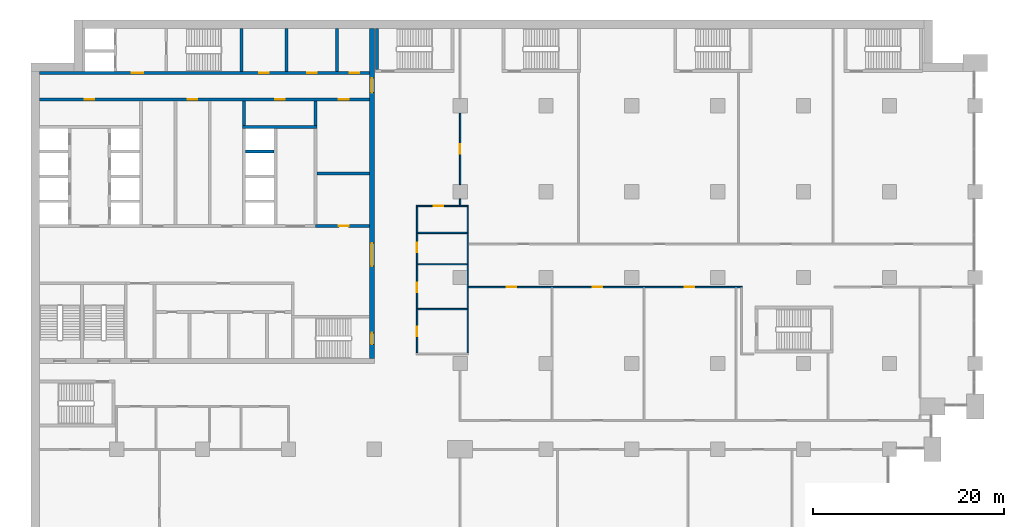
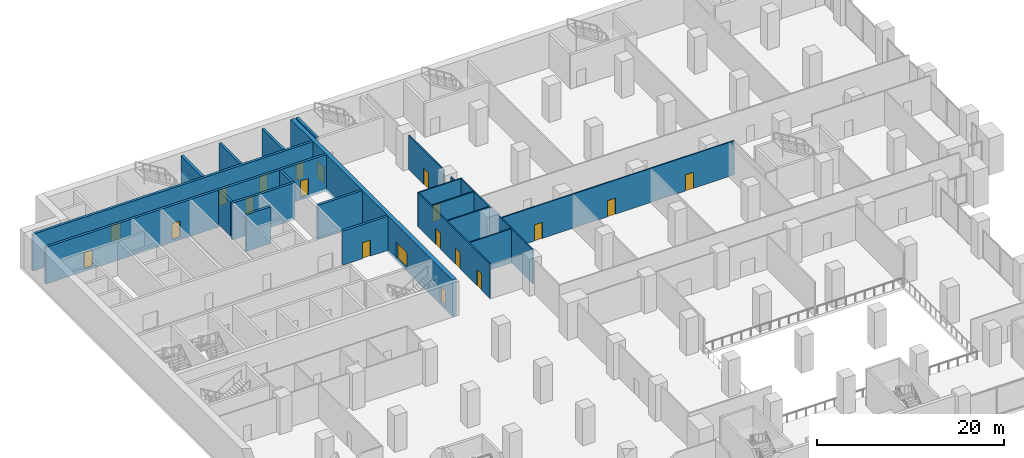
# One storey, part 27 of 49: 22 walls, 20 doors, 20 openings.
"""IFC4 building model written with IfcOpenShell, lengths in metres."""

from ifc_helpers import new_model, si_unit, direction, frame, frame_2d, origin, place, context, subcontext, project, spatial, rectangle, extrude, material, layer, layer_set, type_object, element, fill, save


model = new_model("IFC4")

# Units and contexts
model_context = context("Model", 3, precision=1e-05, world=origin(), true_north=direction((0.0, 1.0)))
body_context = subcontext(model_context, "Body", "Model", "MODEL_VIEW")
ifc_project = project(units=[si_unit("LENGTHUNIT", "METRE"), si_unit("AREAUNIT", "SQUARE_METRE"), si_unit("VOLUMEUNIT", "CUBIC_METRE"), si_unit("PLANEANGLEUNIT", "RADIAN"), si_unit("MASSUNIT", "GRAM", prefix="KILO")], contexts=[model_context])

# Site, building, storey
site_placement = place(None, origin())
site = spatial("IfcSite", under=ifc_project, at=site_placement, CompositionType="ELEMENT")
building_placement = place(site_placement, origin())
building = spatial("IfcBuilding", under=site, at=building_placement, Name="Hunhe Ridgeline Campus", CompositionType="ELEMENT")
storey_placement = place(building_placement, frame((0.0, 0.0, 21.60009765625)))
storey = spatial("IfcBuildingStorey", under=building, at=storey_placement, Name="L04", CompositionType="ELEMENT", Elevation=21.60009765625)

# Walls
ifc_material_1 = material(Name="Plastered blockwork", Category="masonry")
ifc_layer_1 = layer(ifc_material_1, 0.14990234375)
ifc_layer_set_1 = layer_set([ifc_layer_1], Name="Blockwork partition 150")
wall_type_1 = type_object("IfcWallType", Name="Blockwork partition 150", PredefinedType="PARTITIONING", material=ifc_layer_set_1)
wall_1_placement = place(storey_placement, frame((40.574951171875, 68.697021484375, 0.0), z_axis=(0.0, 0.0, 1.0), x_axis=(1.0, 0.0, 0.0)))
element("IfcWall", 1, at=wall_1_placement, inside=storey, type_object=wall_type_1, Name="L04 partition", PredefinedType="PARTITIONING", context=body_context, shape_type="SweptSolid", body=[
    extrude(rectangle(XDim=5.150146484375, YDim=0.14990234375, at=frame_2d((2.5751953125, 0.0))), origin(), (0.0, 0.0, 1.0), 4.449951171875),
])
wall_2_placement = place(storey_placement, frame((45.800048828125, 79.425048828125, 0.0), z_axis=(0.0, 0.0, 1.0), x_axis=(0.0, -1.0, 0.0)))
element("IfcWall", 2, at=wall_2_placement, inside=storey, type_object=wall_type_1, Name="L04 partition", PredefinedType="PARTITIONING", context=body_context, shape_type="SweptSolid", body=[
    extrude(rectangle(XDim=15.35009765625, YDim=0.14990234375, at=frame_2d((7.675048828125, 0.0))), origin(), (0.0, 0.0, 1.0), 4.449951171875),
])

# Wall, openings, doors
wall_3_placement = place(storey_placement, frame((40.5, 64.074951171875, 0.0), z_axis=(0.0, 0.0, 1.0), x_axis=(0.0, 1.0, 0.0)))
wall_3 = element("IfcWall", 3, at=wall_3_placement, inside=storey, type_object=wall_type_1, Name="L04 partition", PredefinedType="PARTITIONING", context=body_context, shape_type="SweptSolid", body=[
    extrude(rectangle(XDim=15.35009765625, YDim=0.14990234375, at=frame_2d((7.675048828125, 0.0))), origin(), (0.0, 0.0, 1.0), 4.449951171875),
])
opening_1_placement = place(wall_3_placement, frame((1.75, 0.0, 0.0)))
opening_1 = element("IfcOpeningElement", 4, at=opening_1_placement, cuts=wall_3, Name="Opening PD504", PredefinedType="OPENING", context=body_context, shape_type="SweptSolid", body=[
    extrude(rectangle(XDim=1.0, YDim=2.10009765625, at=frame_2d((0.5, 1.050048828125))), frame((0.0, 0.074951171875, 0.0), z_axis=(0.0, -1.0, 0.0), x_axis=(1.0, 0.0, 0.0)), (0.0, 0.0, 1.0), 0.14990234375),
])
opening_2_placement = place(wall_3_placement, frame((6.3720703125, 0.0, 0.0)))
opening_2 = element("IfcOpeningElement", 5, at=opening_2_placement, cuts=wall_3, Name="Opening PD505", PredefinedType="OPENING", context=body_context, shape_type="SweptSolid", body=[
    extrude(rectangle(XDim=1.0, YDim=2.10009765625, at=frame_2d((0.5, 1.050048828125))), frame((0.0, 0.074951171875, 0.0), z_axis=(0.0, -1.0, 0.0), x_axis=(1.0, 0.0, 0.0)), (0.0, 0.0, 1.0), 0.14990234375),
])
opening_3_placement = place(wall_3_placement, frame((10.569091796875, 0.0, 0.0)))
opening_3 = element("IfcOpeningElement", 6, at=opening_3_placement, cuts=wall_3, Name="Opening PD506", PredefinedType="OPENING", context=body_context, shape_type="SweptSolid", body=[
    extrude(rectangle(XDim=1.0, YDim=2.10009765625, at=frame_2d((0.5, 1.050048828125))), frame((0.0, 0.074951171875, 0.0), z_axis=(0.0, -1.0, 0.0), x_axis=(1.0, 0.0, 0.0)), (0.0, 0.0, 1.0), 0.14990234375),
])
ifc_material_2 = material(Name="Timber", Category="wood")
door_type_1 = type_object("IfcDoorType", Name="Podium accessible WC door 1000x2100", OperationType="NOTDEFINED", PredefinedType="DOOR", material=ifc_material_2)
door_1_placement = place(opening_3_placement, origin())
door_1 = element("IfcDoor", 7, at=door_1_placement, inside=storey, type_object=door_type_1, Name="Accessible WC door", OperationType="SINGLE_SWING_RIGHT", OverallHeight=2.10009765625, OverallWidth=1.0, PredefinedType="DOOR", context=body_context, shape_type="SweptSolid", body=[
    extrude(rectangle(XDim=1.0, YDim=2.10009765625, at=frame_2d((0.5, 1.050048828125))), frame((0.0, 0.02490234375, 0.0), z_axis=(0.0, -1.0, 0.0), x_axis=(1.0, 0.0, 0.0)), (0.0, 0.0, 1.0), 0.050048828125),
])
fill(opening_3, door_1)
door_type_2 = type_object("IfcDoorType", Name="Podium timber door 1000x2100", OperationType="NOTDEFINED", PredefinedType="DOOR", material=ifc_material_2)
door_2_placement = place(opening_1_placement, origin())
door_2 = element("IfcDoor", 8, at=door_2_placement, inside=storey, type_object=door_type_2, Name="Men WC door", OperationType="SINGLE_SWING_LEFT", OverallHeight=2.10009765625, OverallWidth=1.0, PredefinedType="DOOR", context=body_context, shape_type="SweptSolid", body=[
    extrude(rectangle(XDim=1.0, YDim=2.10009765625, at=frame_2d((0.5, 1.050048828125))), frame((0.0, 0.02490234375, 0.0), z_axis=(0.0, -1.0, 0.0), x_axis=(1.0, 0.0, 0.0)), (0.0, 0.0, 1.0), 0.050048828125),
])
fill(opening_1, door_2)
door_3_placement = place(opening_2_placement, origin())
door_3 = element("IfcDoor", 9, at=door_3_placement, inside=storey, type_object=door_type_2, Name="Women WC door", OperationType="SINGLE_SWING_LEFT", OverallHeight=2.10009765625, OverallWidth=1.0, PredefinedType="DOOR", context=body_context, shape_type="SweptSolid", body=[
    extrude(rectangle(XDim=1.0, YDim=2.10009765625, at=frame_2d((0.5, 1.050048828125))), frame((0.0, 0.02490234375, 0.0), z_axis=(0.0, -1.0, 0.0), x_axis=(1.0, 0.0, 0.0)), (0.0, 0.0, 1.0), 0.050048828125),
])
fill(opening_2, door_3)

# Walls
for number, where, z_axis, x_axis, name in (
    (10, (40.574951171875, 73.39404296875, 0.0), (0.0, 0.0, 1.0), (1.0, 0.0, 0.0), "L04 partition"),
    (11, (40.574951171875, 76.681884765625, 0.0), (0.0, 0.0, 1.0), (1.0, 0.0, 0.0), "L04 partition"),
):
    element("IfcWall", number, at=place(storey_placement, frame(where, z_axis=z_axis, x_axis=x_axis)), inside=storey, type_object=wall_type_1, Name=name, PredefinedType="PARTITIONING", context=body_context, shape_type="SweptSolid", body=[
        extrude(rectangle(XDim=5.150146484375, YDim=0.14990234375, at=frame_2d((2.5751953125, 0.0))), origin(), (0.0, 0.0, 1.0), 4.449951171875),
    ])

# Wall, opening, door
wall_4_placement = place(storey_placement, frame((40.425048828125, 79.5, 0.0), z_axis=(0.0, 0.0, 1.0), x_axis=(1.0, 0.0, 0.0)))
wall_4 = element("IfcWall", 12, at=wall_4_placement, inside=storey, type_object=wall_type_1, Name="L04 partition", PredefinedType="PARTITIONING", context=body_context, shape_type="SweptSolid", body=[
    extrude(rectangle(XDim=5.449951171875, YDim=0.14990234375, at=frame_2d((2.72509765625, 0.0))), origin(), (0.0, 0.0, 1.0), 4.449951171875),
])
opening_4_placement = place(wall_4_placement, frame((1.824951171875, 0.0, 0.0)))
opening_4 = element("IfcOpeningElement", 13, at=opening_4_placement, cuts=wall_4, Name="Opening PD507", PredefinedType="OPENING", context=body_context, shape_type="SweptSolid", body=[
    extrude(rectangle(XDim=1.0, YDim=2.10009765625, at=frame_2d((0.5, 1.050048828125))), frame((0.0, 0.074951171875, 0.0), z_axis=(0.0, -1.0, 0.0), x_axis=(1.0, 0.0, 0.0)), (0.0, 0.0, 1.0), 0.14990234375),
])
door_4_placement = place(opening_4_placement, origin())
door_4 = element("IfcDoor", 14, at=door_4_placement, inside=storey, type_object=door_type_2, Name="Cleaners Store door", OperationType="SINGLE_SWING_LEFT", OverallHeight=2.10009765625, OverallWidth=1.0, PredefinedType="DOOR", context=body_context, shape_type="SweptSolid", body=[
    extrude(rectangle(XDim=1.0, YDim=2.10009765625, at=frame_2d((0.5, 1.050048828125))), frame((0.0, 0.02490234375, 0.0), z_axis=(0.0, -1.0, 0.0), x_axis=(1.0, 0.0, 0.0)), (0.0, 0.0, 1.0), 0.050048828125),
])
fill(opening_4, door_4)

# Wall
wall_5_placement = place(storey_placement, frame((45.0, 79.574951171875, 0.0), z_axis=(0.0, 0.0, 1.0), x_axis=(0.0, 1.0, 0.0)))
element("IfcWall", 15, at=wall_5_placement, inside=storey, type_object=wall_type_1, Name="L04 partition", PredefinedType="PARTITIONING", context=body_context, shape_type="SweptSolid", body=[
    extrude(rectangle(XDim=0.675048828125, YDim=0.14990234375, at=frame_2d((0.33740234375, 0.0))), origin(), (0.0, 0.0, 1.0), 4.449951171875),
])

# Wall, opening, door
wall_6_placement = place(storey_placement, frame((45.0, 81.75, 0.0), z_axis=(0.0, 0.0, 1.0), x_axis=(0.0, 1.0, 0.0)))
wall_6 = element("IfcWall", 16, at=wall_6_placement, inside=storey, type_object=wall_type_1, Name="L04 partition", PredefinedType="PARTITIONING", context=body_context, shape_type="SweptSolid", body=[
    extrude(rectangle(XDim=7.5, YDim=0.14990234375, at=frame_2d((3.75, 0.0))), origin(), (0.0, 0.0, 1.0), 4.449951171875),
])
opening_5_placement = place(wall_6_placement, frame((3.25, 0.0, 0.0)))
opening_5 = element("IfcOpeningElement", 17, at=opening_5_placement, cuts=wall_6, Name="Opening PD537", PredefinedType="OPENING", context=body_context, shape_type="SweptSolid", body=[
    extrude(rectangle(XDim=1.0, YDim=2.10009765625, at=frame_2d((0.5, 1.050048828125))), frame((0.0, 0.074951171875, 0.0), z_axis=(0.0, -1.0, 0.0), x_axis=(1.0, 0.0, 0.0)), (0.0, 0.0, 1.0), 0.14990234375),
])
door_5_placement = place(opening_5_placement, origin())
door_5 = element("IfcDoor", 18, at=door_5_placement, inside=storey, type_object=door_type_2, Name="Closed Stacks door", OperationType="SINGLE_SWING_RIGHT", OverallHeight=2.10009765625, OverallWidth=1.0, PredefinedType="DOOR", context=body_context, shape_type="SweptSolid", body=[
    extrude(rectangle(XDim=1.0, YDim=2.10009765625, at=frame_2d((0.5, 1.050048828125))), frame((0.0, 0.02490234375, 0.0), z_axis=(0.0, -1.0, 0.0), x_axis=(1.0, 0.0, 0.0)), (0.0, 0.0, 1.0), 0.050048828125),
])
fill(opening_5, door_5)

# Wall, openings, doors
wall_7_placement = place(storey_placement, frame((45.875, 71.0, 0.0), z_axis=(0.0, 0.0, 1.0), x_axis=(1.0, 0.0, 0.0)))
wall_7 = element("IfcWall", 19, at=wall_7_placement, inside=storey, type_object=wall_type_1, Name="L04 partition", PredefinedType="PARTITIONING", context=body_context, shape_type="SweptSolid", body=[
    extrude(rectangle(XDim=28.699951171875, YDim=0.14990234375, at=frame_2d((14.35009765625, 0.0))), origin(), (0.0, 0.0, 1.0), 4.449951171875),
])
opening_6_placement = place(wall_7_placement, frame((4.0, 0.0, 0.0)))
opening_6 = element("IfcOpeningElement", 20, at=opening_6_placement, cuts=wall_7, Name="Opening PD523", PredefinedType="OPENING", context=body_context, shape_type="SweptSolid", body=[
    extrude(rectangle(XDim=1.0, YDim=2.10009765625, at=frame_2d((0.5, 1.050048828125))), frame((0.0, 0.074951171875, 0.0), z_axis=(0.0, -1.0, 0.0), x_axis=(1.0, 0.0, 0.0)), (0.0, 0.0, 1.0), 0.14990234375),
])
opening_7_placement = place(wall_7_placement, frame((13.01806640625, 0.0, 0.0)))
opening_7 = element("IfcOpeningElement", 21, at=opening_7_placement, cuts=wall_7, Name="Opening PD525", PredefinedType="OPENING", context=body_context, shape_type="SweptSolid", body=[
    extrude(rectangle(XDim=1.0, YDim=2.10009765625, at=frame_2d((0.5, 1.050048828125))), frame((0.0, 0.074951171875, 0.0), z_axis=(0.0, -1.0, 0.0), x_axis=(1.0, 0.0, 0.0)), (0.0, 0.0, 1.0), 0.14990234375),
])
opening_8_placement = place(wall_7_placement, frame((22.660888671875, 0.0, 0.0)))
opening_8 = element("IfcOpeningElement", 22, at=opening_8_placement, cuts=wall_7, Name="Opening PD527", PredefinedType="OPENING", context=body_context, shape_type="SweptSolid", body=[
    extrude(rectangle(XDim=1.0, YDim=2.10009765625, at=frame_2d((0.5, 1.050048828125))), frame((0.0, 0.074951171875, 0.0), z_axis=(0.0, -1.0, 0.0), x_axis=(1.0, 0.0, 0.0)), (0.0, 0.0, 1.0), 0.14990234375),
])
door_6_placement = place(opening_6_placement, origin())
door_6 = element("IfcDoor", 23, at=door_6_placement, inside=storey, type_object=door_type_2, Name="Closed Stacks door", OperationType="SINGLE_SWING_LEFT", OverallHeight=2.10009765625, OverallWidth=1.0, PredefinedType="DOOR", context=body_context, shape_type="SweptSolid", body=[
    extrude(rectangle(XDim=1.0, YDim=2.10009765625, at=frame_2d((0.5, 1.050048828125))), frame((0.0, 0.02490234375, 0.0), z_axis=(0.0, -1.0, 0.0), x_axis=(1.0, 0.0, 0.0)), (0.0, 0.0, 1.0), 0.050048828125),
])
fill(opening_6, door_6)
door_7_placement = place(opening_7_placement, origin())
door_7 = element("IfcDoor", 24, at=door_7_placement, inside=storey, type_object=door_type_2, Name="Closed Stacks door", OperationType="SINGLE_SWING_LEFT", OverallHeight=2.10009765625, OverallWidth=1.0, PredefinedType="DOOR", context=body_context, shape_type="SweptSolid", body=[
    extrude(rectangle(XDim=1.0, YDim=2.10009765625, at=frame_2d((0.5, 1.050048828125))), frame((0.0, 0.02490234375, 0.0), z_axis=(0.0, -1.0, 0.0), x_axis=(1.0, 0.0, 0.0)), (0.0, 0.0, 1.0), 0.050048828125),
])
fill(opening_7, door_7)
door_8_placement = place(opening_8_placement, origin())
door_8 = element("IfcDoor", 25, at=door_8_placement, inside=storey, type_object=door_type_2, Name="Closed Stacks door", OperationType="SINGLE_SWING_RIGHT", OverallHeight=2.10009765625, OverallWidth=1.0, PredefinedType="DOOR", context=body_context, shape_type="SweptSolid", body=[
    extrude(rectangle(XDim=1.0, YDim=2.10009765625, at=frame_2d((0.5, 1.050048828125))), frame((0.0, 0.02490234375, 0.0), z_axis=(0.0, -1.0, 0.0), x_axis=(1.0, 0.0, 0.0)), (0.0, 0.0, 1.0), 0.050048828125),
])
fill(opening_8, door_8)

# Wall, opening, door
ifc_material_3 = material(Name="Masonry concrete blockwork", Category="masonry")
ifc_layer_2 = layer(ifc_material_3, 0.300048828125)
ifc_layer_set_2 = layer_set([ifc_layer_2], Name="Core room partition 300 concrete block")
wall_type_2 = type_object("IfcWallType", Name="Core room partition 300 concrete block", PredefinedType="PARTITIONING", material=ifc_layer_set_2)
wall_8_placement = place(storey_placement, frame((29.85009765625, 77.39990234375, 0.0), z_axis=(0.0, 0.0, 1.0), x_axis=(1.0, 0.0, 0.0)))
wall_8 = element("IfcWall", 26, at=wall_8_placement, inside=storey, type_object=wall_type_2, Name="L04 core partition 15", PredefinedType="PARTITIONING", context=body_context, shape_type="SweptSolid", body=[
    extrude(rectangle(XDim=5.64990234375, YDim=0.300048828125, at=frame_2d((2.824951171875, 0.0))), origin(), (0.0, 0.0, 1.0), 4.449951171875),
])
opening_9_placement = place(wall_8_placement, frame((2.449951171875, 0.0, 0.0)))
opening_9 = element("IfcOpeningElement", 27, at=opening_9_placement, cuts=wall_8, Name="Opening CD32", PredefinedType="OPENING", context=body_context, shape_type="SweptSolid", body=[
    extrude(rectangle(XDim=1.0, YDim=2.10009765625, at=frame_2d((0.5, 1.050048828125))), frame((0.0, 0.14990234375, 0.0), z_axis=(0.0, -1.0, 0.0), x_axis=(1.0, 0.0, 0.0)), (0.0, 0.0, 1.0), 0.300048828125),
])
ifc_material_4 = material(Name="Solid core timber door leaf", Category="wood")
door_type_3 = type_object("IfcDoorType", Name="Timber door 1000x2100", OperationType="SINGLE_SWING_LEFT", PredefinedType="DOOR", material=ifc_material_4)
door_9_placement = place(opening_9_placement, origin())
door_9 = element("IfcDoor", 28, at=door_9_placement, inside=storey, type_object=door_type_3, Name="L04 door ES0", OperationType="SINGLE_SWING_LEFT", OverallHeight=2.10009765625, OverallWidth=1.0, PredefinedType="DOOR", context=body_context, shape_type="SweptSolid", body=[
    extrude(rectangle(XDim=1.0, YDim=2.10009765625, at=frame_2d((0.5, 1.050048828125))), frame((0.0, 0.02490234375, 0.0), z_axis=(0.0, -1.0, 0.0), x_axis=(1.0, 0.0, 0.0)), (0.0, 0.0, 1.0), 0.050048828125),
])
fill(opening_9, door_9)

# Walls
wall_9_placement = place(storey_placement, frame((30.0, 82.89990234375, 0.0), z_axis=(0.0, 0.0, 1.0), x_axis=(1.0, 0.0, 0.0)))
element("IfcWall", 29, at=wall_9_placement, inside=storey, type_object=wall_type_2, Name="L04 core partition 22", PredefinedType="PARTITIONING", context=body_context, shape_type="SweptSolid", body=[
    extrude(rectangle(XDim=5.5, YDim=0.300048828125, at=frame_2d((2.75, 0.0))), origin(), (0.0, 0.0, 1.0), 4.449951171875),
])
wall_10_placement = place(storey_placement, frame((22.35009765625, 87.949951171875, 0.0), z_axis=(0.0, 0.0, 1.0), x_axis=(0.0, 1.0, 0.0)))
element("IfcWall", 30, at=wall_10_placement, inside=storey, type_object=wall_type_2, Name="L04 core partition 54", PredefinedType="PARTITIONING", context=body_context, shape_type="SweptSolid", body=[
    extrude(rectangle(XDim=2.550048828125, YDim=0.300048828125, at=frame_2d((1.27490234375, 0.0))), origin(), (0.0, 0.0, 1.0), 4.449951171875),
])
wall_11_placement = place(storey_placement, frame((26.800048828125, 93.60009765625, 0.0), z_axis=(0.0, 0.0, 1.0), x_axis=(0.0, 1.0, 0.0)))
element("IfcWall", 31, at=wall_11_placement, inside=storey, type_object=wall_type_2, Name="L04 core partition 58", PredefinedType="PARTITIONING", context=body_context, shape_type="SweptSolid", body=[
    extrude(rectangle(XDim=4.5, YDim=0.300048828125, at=frame_2d((2.25, 0.0))), origin(), (0.0, 0.0, 1.0), 4.449951171875),
])
wall_12_placement = place(storey_placement, frame((29.85009765625, 87.949951171875, 0.0), z_axis=(0.0, 0.0, 1.0), x_axis=(0.0, 1.0, 0.0)))
element("IfcWall", 32, at=wall_12_placement, inside=storey, type_object=wall_type_2, Name="L04 core partition 62", PredefinedType="PARTITIONING", context=body_context, shape_type="SweptSolid", body=[
    extrude(rectangle(XDim=2.550048828125, YDim=0.300048828125, at=frame_2d((1.27490234375, 0.0))), origin(), (0.0, 0.0, 1.0), 4.449951171875),
])
wall_13_placement = place(storey_placement, frame((32.10009765625, 93.60009765625, 0.0), z_axis=(0.0, 0.0, 1.0), x_axis=(0.0, 1.0, 0.0)))
element("IfcWall", 33, at=wall_13_placement, inside=storey, type_object=wall_type_2, Name="L04 core partition 63", PredefinedType="PARTITIONING", context=body_context, shape_type="SweptSolid", body=[
    extrude(rectangle(XDim=4.5, YDim=0.300048828125, at=frame_2d((2.25, 0.0))), origin(), (0.0, 0.0, 1.0), 4.449951171875),
])

# Wall, openings, doors
ifc_material_5 = material(Name="Concrete C80", Category="concrete")
ifc_layer_3 = layer(ifc_material_5, 0.5)
ifc_layer_set_3 = layer_set([ifc_layer_3], Name="Core wall 500 reinforced concrete C80")
wall_type_3 = type_object("IfcWallType", Name="Core wall 500 reinforced concrete C80", PredefinedType="SOLIDWALL", material=ifc_layer_set_3)
wall_14_placement = place(storey_placement, frame((35.75, 63.5, -0.35009765625), z_axis=(0.0, 0.0, 1.0), x_axis=(0.0, 1.0, 0.0)))
wall_14 = element("IfcWall", 34, at=wall_14_placement, inside=storey, type_object=wall_type_3, Name="L04 core wall 64", PredefinedType="SOLIDWALL", context=body_context, shape_type="SweptSolid", body=[
    extrude(rectangle(XDim=34.60009765625, YDim=0.5, at=frame_2d((17.300048828125, 0.0))), origin(), (0.0, 0.0, 1.0), 4.800048828125),
])
opening_10_placement = place(wall_14_placement, frame((9.699951171875, 0.0, 0.35009765625)))
opening_10 = element("IfcOpeningElement", 35, at=opening_10_placement, cuts=wall_14, Name="Opening CD4", PredefinedType="OPENING", context=body_context, shape_type="SweptSolid", body=[
    extrude(rectangle(XDim=2.39990234375, YDim=2.10009765625, at=frame_2d((1.199951171875, 1.050048828125))), frame((0.0, 0.25, 0.0), z_axis=(0.0, -1.0, 0.0), x_axis=(1.0, 0.0, 0.0)), (0.0, 0.0, 1.0), 0.5),
])
opening_11_placement = place(wall_14_placement, frame((27.89990234375, 0.0, 0.35009765625)))
opening_11 = element("IfcOpeningElement", 36, at=opening_11_placement, cuts=wall_14, Name="Opening CD5", PredefinedType="OPENING", context=body_context, shape_type="SweptSolid", body=[
    extrude(rectangle(XDim=1.5, YDim=2.10009765625, at=frame_2d((0.75, 1.050048828125))), frame((0.0, 0.25, 0.0), z_axis=(0.0, -1.0, 0.0), x_axis=(1.0, 0.0, 0.0)), (0.0, 0.0, 1.0), 0.5),
])
opening_12_placement = place(wall_14_placement, frame((1.5, 0.0, 0.35009765625)))
opening_12 = element("IfcOpeningElement", 37, at=opening_12_placement, cuts=wall_14, Name="Opening CD15", PredefinedType="OPENING", context=body_context, shape_type="SweptSolid", body=[
    extrude(rectangle(XDim=1.199951171875, YDim=2.10009765625, at=frame_2d((0.60009765625, 1.050048828125))), frame((0.0, 0.25, 0.0), z_axis=(0.0, -1.0, 0.0), x_axis=(1.0, 0.0, 0.0)), (0.0, 0.0, 1.0), 0.5),
])
ifc_material_6 = material(Name="Anodised aluminium and glass", Category="aluminium")
door_type_4 = type_object("IfcDoorType", Name="Glazed double door 2400x2100", OperationType="DOUBLE_DOOR_SINGLE_SWING", PredefinedType="DOOR", material=ifc_material_6)
door_10_placement = place(opening_10_placement, frame((2.39990234375, 0.0, 0.0), z_axis=(0.0, 0.0, 1.0), x_axis=(-1.0, 0.0, 0.0)))
door_10 = element("IfcDoor", 38, at=door_10_placement, inside=storey, type_object=door_type_4, Name="L04 door HALL-FLOOR", OperationType="DOUBLE_DOOR_SINGLE_SWING", OverallHeight=2.10009765625, OverallWidth=2.39990234375, PredefinedType="DOOR", context=body_context, shape_type="SweptSolid", body=[
    extrude(rectangle(XDim=2.39990234375, YDim=2.10009765625, at=frame_2d((1.199951171875, 1.050048828125))), frame((0.0, 0.02490234375, 0.0), z_axis=(0.0, -1.0, 0.0), x_axis=(1.0, 0.0, 0.0)), (0.0, 0.0, 1.0), 0.050048828125),
])
fill(opening_10, door_10)
ifc_material_7 = material(Name="Hollow metal fire door leaf")
door_type_5 = type_object("IfcDoorType", Name="Stair door 1200x2100 FD60", OperationType="SINGLE_SWING_LEFT", PredefinedType="DOOR", material=ifc_material_7)
door_11_placement = place(opening_12_placement, frame((1.199951171875, 0.0, 0.0), z_axis=(0.0, 0.0, 1.0), x_axis=(-1.0, 0.0, 0.0)))
door_11 = element("IfcDoor", 39, at=door_11_placement, inside=storey, type_object=door_type_5, Name="L04 door S2-FLOOR", OperationType="SINGLE_SWING_RIGHT", OverallHeight=2.10009765625, OverallWidth=1.199951171875, PredefinedType="DOOR", context=body_context, shape_type="SweptSolid", body=[
    extrude(rectangle(XDim=1.199951171875, YDim=2.10009765625, at=frame_2d((0.60009765625, 1.050048828125))), frame((0.0, 0.02490234375, 0.0), z_axis=(0.0, -1.0, 0.0), x_axis=(1.0, 0.0, 0.0)), (0.0, 0.0, 1.0), 0.050048828125),
])
fill(opening_12, door_11)
door_type_6 = type_object("IfcDoorType", Name="Timber door 1500x2100", OperationType="SINGLE_SWING_LEFT", PredefinedType="DOOR", material=ifc_material_4)
door_12_placement = place(opening_11_placement, frame((1.5, 0.0, 0.0), z_axis=(0.0, 0.0, 1.0), x_axis=(-1.0, 0.0, 0.0)))
door_12 = element("IfcDoor", 40, at=door_12_placement, inside=storey, type_object=door_type_6, Name="L04 door C1-FLOOR", OperationType="SINGLE_SWING_RIGHT", OverallHeight=2.10009765625, OverallWidth=1.5, PredefinedType="DOOR", context=body_context, shape_type="SweptSolid", body=[
    extrude(rectangle(XDim=1.5, YDim=2.10009765625, at=frame_2d((0.75, 1.050048828125))), frame((0.0, 0.02490234375, 0.0), z_axis=(0.0, -1.0, 0.0), x_axis=(1.0, 0.0, 0.0)), (0.0, 0.0, 1.0), 0.050048828125),
])
fill(opening_11, door_12)

ifc_layer_4 = layer(ifc_material_5, 0.300048828125)
ifc_layer_set_4 = layer_set([ifc_layer_4], Name="Lobby wall 300 reinforced concrete C80")
wall_type_4 = type_object("IfcWallType", Name="Lobby wall 300 reinforced concrete C80", PredefinedType="SOLIDWALL", material=ifc_layer_set_4)
wall_15_placement = place(storey_placement, frame((0.89990234375, 90.64990234375, -0.35009765625), z_axis=(0.0, 0.0, 1.0), x_axis=(1.0, 0.0, 0.0)))
wall_15 = element("IfcWall", 41, at=wall_15_placement, inside=storey, type_object=wall_type_4, Name="L04 core wall 28", PredefinedType="SOLIDWALL", context=body_context, shape_type="SweptSolid", body=[
    extrude(rectangle(XDim=34.60009765625, YDim=0.300048828125, at=frame_2d((17.300048828125, 0.0))), origin(), (0.0, 0.0, 1.0), 4.800048828125),
])
opening_13_placement = place(wall_15_placement, frame((4.75, 0.0, 0.35009765625)))
opening_13 = element("IfcOpeningElement", 42, at=opening_13_placement, cuts=wall_15, Name="Opening CD26", PredefinedType="OPENING", context=body_context, shape_type="SweptSolid", body=[
    extrude(rectangle(XDim=1.0, YDim=2.10009765625, at=frame_2d((0.5, 1.050048828125))), frame((0.0, 0.14990234375, 0.0), z_axis=(0.0, -1.0, 0.0), x_axis=(1.0, 0.0, 0.0)), (0.0, 0.0, 1.0), 0.300048828125),
])
opening_14_placement = place(wall_15_placement, frame((24.699951171875, 0.0, 0.35009765625)))
opening_14 = element("IfcOpeningElement", 43, at=opening_14_placement, cuts=wall_15, Name="Opening CD27", PredefinedType="OPENING", context=body_context, shape_type="SweptSolid", body=[
    extrude(rectangle(XDim=1.0, YDim=2.10009765625, at=frame_2d((0.5, 1.050048828125))), frame((0.0, 0.14990234375, 0.0), z_axis=(0.0, -1.0, 0.0), x_axis=(1.0, 0.0, 0.0)), (0.0, 0.0, 1.0), 0.300048828125),
])
opening_15_placement = place(wall_15_placement, frame((15.550048828125, 0.0, 0.35009765625)))
opening_15 = element("IfcOpeningElement", 44, at=opening_15_placement, cuts=wall_15, Name="Opening CD29", PredefinedType="OPENING", context=body_context, shape_type="SweptSolid", body=[
    extrude(rectangle(XDim=1.0, YDim=2.10009765625, at=frame_2d((0.5, 1.050048828125))), frame((0.0, 0.14990234375, 0.0), z_axis=(0.0, -1.0, 0.0), x_axis=(1.0, 0.0, 0.0)), (0.0, 0.0, 1.0), 0.300048828125),
])
opening_16_placement = place(wall_15_placement, frame((31.39990234375, 0.0, 0.35009765625)))
opening_16 = element("IfcOpeningElement", 45, at=opening_16_placement, cuts=wall_15, Name="Opening CD33", PredefinedType="OPENING", context=body_context, shape_type="SweptSolid", body=[
    extrude(rectangle(XDim=1.0, YDim=2.10009765625, at=frame_2d((0.5, 1.050048828125))), frame((0.0, 0.14990234375, 0.0), z_axis=(0.0, -1.0, 0.0), x_axis=(1.0, 0.0, 0.0)), (0.0, 0.0, 1.0), 0.300048828125),
])
door_13_placement = place(opening_13_placement, frame((1.0, 0.0, 0.0), z_axis=(0.0, 0.0, 1.0), x_axis=(-1.0, 0.0, 0.0)))
door_13 = element("IfcDoor", 46, at=door_13_placement, inside=storey, type_object=door_type_3, Name="L04 door NR-0", OperationType="SINGLE_SWING_RIGHT", OverallHeight=2.10009765625, OverallWidth=1.0, PredefinedType="DOOR", context=body_context, shape_type="SweptSolid", body=[
    extrude(rectangle(XDim=1.0, YDim=2.10009765625, at=frame_2d((0.5, 1.050048828125))), frame((0.0, 0.02490234375, 0.0), z_axis=(0.0, -1.0, 0.0), x_axis=(1.0, 0.0, 0.0)), (0.0, 0.0, 1.0), 0.050048828125),
])
fill(opening_13, door_13)
door_14_placement = place(opening_14_placement, frame((1.0, 0.0, 0.0), z_axis=(0.0, 0.0, 1.0), x_axis=(-1.0, 0.0, 0.0)))
door_14 = element("IfcDoor", 47, at=door_14_placement, inside=storey, type_object=door_type_3, Name="L04 door NR-1", OperationType="SINGLE_SWING_LEFT", OverallHeight=2.10009765625, OverallWidth=1.0, PredefinedType="DOOR", context=body_context, shape_type="SweptSolid", body=[
    extrude(rectangle(XDim=1.0, YDim=2.10009765625, at=frame_2d((0.5, 1.050048828125))), frame((0.0, 0.02490234375, 0.0), z_axis=(0.0, -1.0, 0.0), x_axis=(1.0, 0.0, 0.0)), (0.0, 0.0, 1.0), 0.050048828125),
])
fill(opening_14, door_14)
door_15_placement = place(opening_15_placement, frame((1.0, 0.0, 0.0), z_axis=(0.0, 0.0, 1.0), x_axis=(-1.0, 0.0, 0.0)))
door_15 = element("IfcDoor", 48, at=door_15_placement, inside=storey, type_object=door_type_3, Name="L04 door VD-HR1", OperationType="SINGLE_SWING_LEFT", OverallHeight=2.10009765625, OverallWidth=1.0, PredefinedType="DOOR", context=body_context, shape_type="SweptSolid", body=[
    extrude(rectangle(XDim=1.0, YDim=2.10009765625, at=frame_2d((0.5, 1.050048828125))), frame((0.0, 0.02490234375, 0.0), z_axis=(0.0, -1.0, 0.0), x_axis=(1.0, 0.0, 0.0)), (0.0, 0.0, 1.0), 0.050048828125),
])
fill(opening_15, door_15)
door_16_placement = place(opening_16_placement, frame((1.0, 0.0, 0.0), z_axis=(0.0, 0.0, 1.0), x_axis=(-1.0, 0.0, 0.0)))
door_16 = element("IfcDoor", 49, at=door_16_placement, inside=storey, type_object=door_type_3, Name="L04 door ES1", OperationType="SINGLE_SWING_LEFT", OverallHeight=2.10009765625, OverallWidth=1.0, PredefinedType="DOOR", context=body_context, shape_type="SweptSolid", body=[
    extrude(rectangle(XDim=1.0, YDim=2.10009765625, at=frame_2d((0.5, 1.050048828125))), frame((0.0, 0.02490234375, 0.0), z_axis=(0.0, -1.0, 0.0), x_axis=(1.0, 0.0, 0.0)), (0.0, 0.0, 1.0), 0.050048828125),
])
fill(opening_16, door_16)

# Walls
ifc_layer_5 = layer(ifc_material_5, 0.300048828125)
ifc_layer_set_5 = layer_set([ifc_layer_5], Name="Shaft wall 300 reinforced concrete C80")
wall_type_5 = type_object("IfcWallType", Name="Shaft wall 300 reinforced concrete C80", PredefinedType="SOLIDWALL", material=ifc_layer_set_5)
wall_16_placement = place(storey_placement, frame((22.5, 85.199951171875, -0.35009765625), z_axis=(0.0, 0.0, 1.0), x_axis=(1.0, 0.0, 0.0)))
element("IfcWall", 50, at=wall_16_placement, inside=storey, type_object=wall_type_5, Name="L04 core wall 25", PredefinedType="SOLIDWALL", context=body_context, shape_type="SweptSolid", body=[
    extrude(rectangle(XDim=3.0, YDim=0.300048828125, at=frame_2d((1.5, 0.0))), origin(), (0.0, 0.0, 1.0), 4.800048828125),
])
wall_17_placement = place(storey_placement, frame((22.199951171875, 87.800048828125, -0.35009765625), z_axis=(0.0, 0.0, 1.0), x_axis=(1.0, 0.0, 0.0)))
element("IfcWall", 51, at=wall_17_placement, inside=storey, type_object=wall_type_5, Name="L04 core wall 27", PredefinedType="SOLIDWALL", context=body_context, shape_type="SweptSolid", body=[
    extrude(rectangle(XDim=7.800048828125, YDim=0.300048828125, at=frame_2d((3.89990234375, 0.0))), origin(), (0.0, 0.0, 1.0), 4.800048828125),
])

# Wall, openings, doors
wall_18_placement = place(storey_placement, frame((0.89990234375, 93.449951171875, -0.35009765625), z_axis=(0.0, 0.0, 1.0), x_axis=(1.0, 0.0, 0.0)))
wall_18 = element("IfcWall", 52, at=wall_18_placement, inside=storey, type_object=wall_type_5, Name="L04 core wall 29", PredefinedType="SOLIDWALL", context=body_context, shape_type="SweptSolid", body=[
    extrude(rectangle(XDim=34.60009765625, YDim=0.300048828125, at=frame_2d((17.300048828125, 0.0))), origin(), (0.0, 0.0, 1.0), 4.800048828125),
])
opening_17_placement = place(wall_18_placement, frame((9.699951171875, 0.0, 0.35009765625)))
opening_17 = element("IfcOpeningElement", 53, at=opening_17_placement, cuts=wall_18, Name="Opening CD3", PredefinedType="OPENING", context=body_context, shape_type="SweptSolid", body=[
    extrude(rectangle(XDim=1.199951171875, YDim=2.10009765625, at=frame_2d((0.60009765625, 1.050048828125))), frame((0.0, 0.14990234375, 0.0), z_axis=(0.0, -1.0, 0.0), x_axis=(1.0, 0.0, 0.0)), (0.0, 0.0, 1.0), 0.300048828125),
])
opening_18_placement = place(wall_18_placement, frame((23.050048828125, 0.0, 0.35009765625)))
opening_18 = element("IfcOpeningElement", 54, at=opening_18_placement, cuts=wall_18, Name="Opening CD34", PredefinedType="OPENING", context=body_context, shape_type="SweptSolid", body=[
    extrude(rectangle(XDim=1.0, YDim=2.10009765625, at=frame_2d((0.5, 1.050048828125))), frame((0.0, 0.14990234375, 0.0), z_axis=(0.0, -1.0, 0.0), x_axis=(1.0, 0.0, 0.0)), (0.0, 0.0, 1.0), 0.300048828125),
])
opening_19_placement = place(wall_18_placement, frame((28.050048828125, 0.0, 0.35009765625)))
opening_19 = element("IfcOpeningElement", 55, at=opening_19_placement, cuts=wall_18, Name="Opening CD35", PredefinedType="OPENING", context=body_context, shape_type="SweptSolid", body=[
    extrude(rectangle(XDim=1.0, YDim=2.10009765625, at=frame_2d((0.5, 1.050048828125))), frame((0.0, 0.14990234375, 0.0), z_axis=(0.0, -1.0, 0.0), x_axis=(1.0, 0.0, 0.0)), (0.0, 0.0, 1.0), 0.300048828125),
])
opening_20_placement = place(wall_18_placement, frame((32.52490234375, 0.0, 0.35009765625)))
opening_20 = element("IfcOpeningElement", 56, at=opening_20_placement, cuts=wall_18, Name="Opening CD36", PredefinedType="OPENING", context=body_context, shape_type="SweptSolid", body=[
    extrude(rectangle(XDim=1.0, YDim=2.10009765625, at=frame_2d((0.5, 1.050048828125))), frame((0.0, 0.14990234375, 0.0), z_axis=(0.0, -1.0, 0.0), x_axis=(1.0, 0.0, 0.0)), (0.0, 0.0, 1.0), 0.300048828125),
])
door_type_7 = type_object("IfcDoorType", Name="Lobby door 1200x2100 FD60", OperationType="SINGLE_SWING_LEFT", PredefinedType="DOOR", material=ifc_material_7)
door_17_placement = place(opening_17_placement, frame((1.199951171875, 0.0, 0.0), z_axis=(0.0, 0.0, 1.0), x_axis=(-1.0, 0.0, 0.0)))
door_17 = element("IfcDoor", 57, at=door_17_placement, inside=storey, type_object=door_type_7, Name="L04 door FF-C1", OperationType="SINGLE_SWING_LEFT", OverallHeight=2.10009765625, OverallWidth=1.199951171875, PredefinedType="DOOR", context=body_context, shape_type="SweptSolid", body=[
    extrude(rectangle(XDim=1.199951171875, YDim=2.10009765625, at=frame_2d((0.60009765625, 1.050048828125))), frame((0.0, 0.02490234375, 0.0), z_axis=(0.0, -1.0, 0.0), x_axis=(1.0, 0.0, 0.0)), (0.0, 0.0, 1.0), 0.050048828125),
])
fill(opening_17, door_17)
door_18_placement = place(opening_18_placement, origin())
door_18 = element("IfcDoor", 58, at=door_18_placement, inside=storey, type_object=door_type_3, Name="L04 door NB0", OperationType="SINGLE_SWING_LEFT", OverallHeight=2.10009765625, OverallWidth=1.0, PredefinedType="DOOR", context=body_context, shape_type="SweptSolid", body=[
    extrude(rectangle(XDim=1.0, YDim=2.10009765625, at=frame_2d((0.5, 1.050048828125))), frame((0.0, 0.02490234375, 0.0), z_axis=(0.0, -1.0, 0.0), x_axis=(1.0, 0.0, 0.0)), (0.0, 0.0, 1.0), 0.050048828125),
])
fill(opening_18, door_18)
door_19_placement = place(opening_19_placement, origin())
door_19 = element("IfcDoor", 59, at=door_19_placement, inside=storey, type_object=door_type_3, Name="L04 door NB1", OperationType="SINGLE_SWING_RIGHT", OverallHeight=2.10009765625, OverallWidth=1.0, PredefinedType="DOOR", context=body_context, shape_type="SweptSolid", body=[
    extrude(rectangle(XDim=1.0, YDim=2.10009765625, at=frame_2d((0.5, 1.050048828125))), frame((0.0, 0.02490234375, 0.0), z_axis=(0.0, -1.0, 0.0), x_axis=(1.0, 0.0, 0.0)), (0.0, 0.0, 1.0), 0.050048828125),
])
fill(opening_19, door_19)
door_20_placement = place(opening_20_placement, origin())
door_20 = element("IfcDoor", 60, at=door_20_placement, inside=storey, type_object=door_type_3, Name="L04 door NB2", OperationType="SINGLE_SWING_LEFT", OverallHeight=2.10009765625, OverallWidth=1.0, PredefinedType="DOOR", context=body_context, shape_type="SweptSolid", body=[
    extrude(rectangle(XDim=1.0, YDim=2.10009765625, at=frame_2d((0.5, 1.050048828125))), frame((0.0, 0.02490234375, 0.0), z_axis=(0.0, -1.0, 0.0), x_axis=(1.0, 0.0, 0.0)), (0.0, 0.0, 1.0), 0.050048828125),
])
fill(opening_20, door_20)

# Walls
ifc_layer_6 = layer(ifc_material_5, 0.300048828125)
ifc_layer_set_6 = layer_set([ifc_layer_6], Name="Stair wall 300 reinforced concrete C80")
wall_type_6 = type_object("IfcWallType", Name="Stair wall 300 reinforced concrete C80", PredefinedType="SOLIDWALL", material=ifc_layer_set_6)
wall_19_placement = place(storey_placement, frame((22.10009765625, 93.60009765625, -0.35009765625), z_axis=(0.0, 0.0, 1.0), x_axis=(0.0, 1.0, 0.0)))
element("IfcWall", 61, at=wall_19_placement, inside=storey, type_object=wall_type_6, Name="L04 core wall 52", PredefinedType="SOLIDWALL", context=body_context, shape_type="SweptSolid", body=[
    extrude(rectangle(XDim=4.5, YDim=0.300048828125, at=frame_2d((2.25, 0.0))), origin(), (0.0, 0.0, 1.0), 4.800048828125),
])
wall_20_placement = place(storey_placement, frame((36.300048828125, 93.800048828125, -0.35009765625), z_axis=(0.0, 0.0, 1.0), x_axis=(0.0, 1.0, 0.0)))
element("IfcWall", 62, at=wall_20_placement, inside=storey, type_object=wall_type_6, Name="L04 core wall 65", PredefinedType="SOLIDWALL", context=body_context, shape_type="SweptSolid", body=[
    extrude(rectangle(XDim=4.300048828125, YDim=0.300048828125, at=frame_2d((2.14990234375, 0.0))), origin(), (0.0, 0.0, 1.0), 4.800048828125),
])

save(model, "model.ifc")
